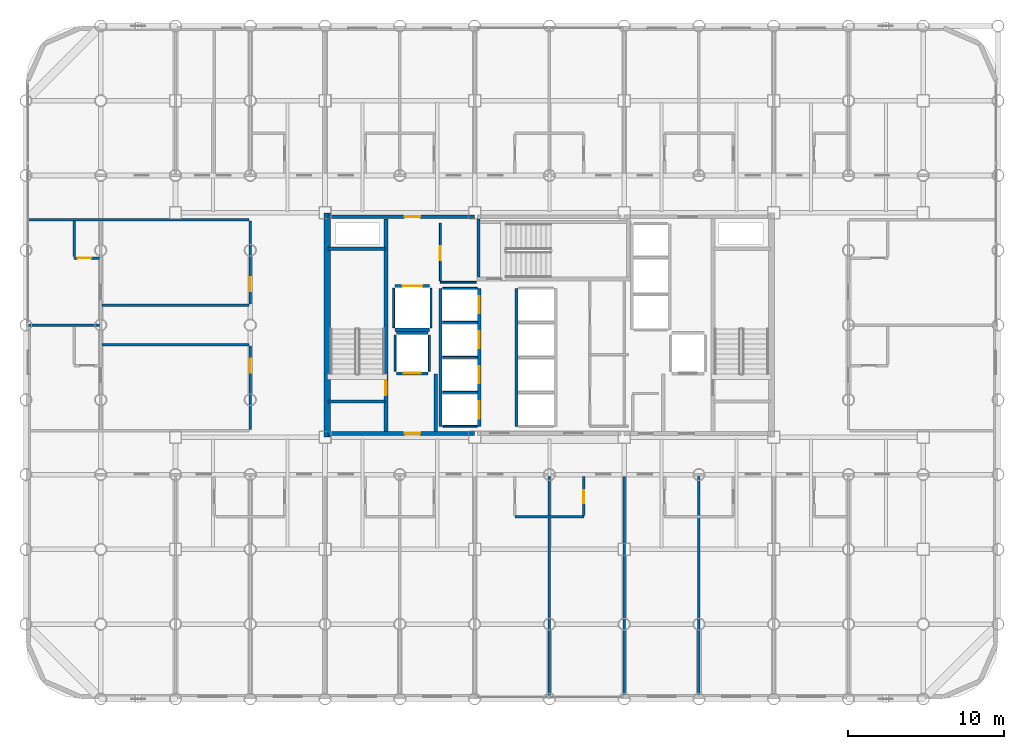
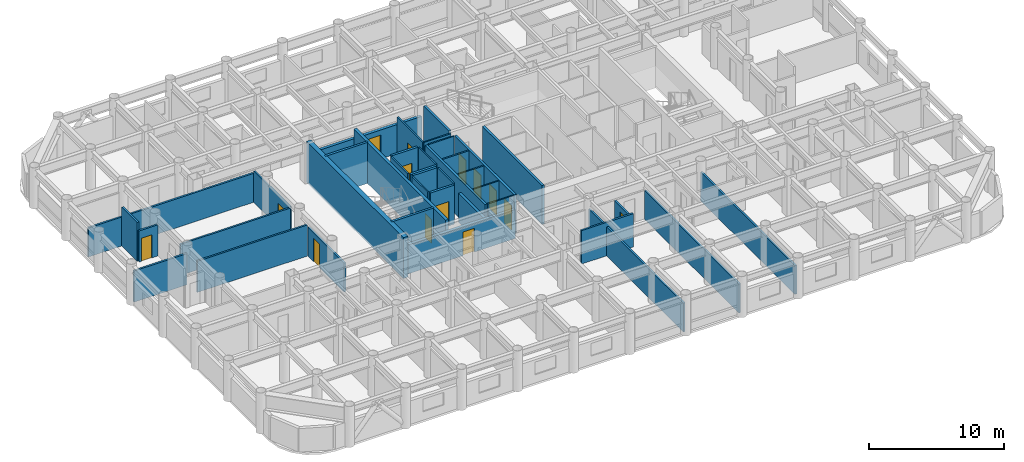
# One storey, part 17 of 22: 39 walls, 14 doors, 14 openings.
"""IFC4 building model written with IfcOpenShell, lengths in metres."""

from ifc_helpers import new_model, si_unit, direction, frame, frame_2d, origin, place, context, subcontext, project, spatial, rectangle, extrude, material, layer, layer_set, type_object, element, fill, save


model = new_model("IFC4")

# Units and contexts
model_context = context("Model", 3, precision=1e-05, world=origin(), true_north=direction((0.0, 1.0)))
body_context = subcontext(model_context, "Body", "Model", "MODEL_VIEW")
ifc_project = project(units=[si_unit("LENGTHUNIT", "METRE"), si_unit("AREAUNIT", "SQUARE_METRE"), si_unit("VOLUMEUNIT", "CUBIC_METRE"), si_unit("PLANEANGLEUNIT", "RADIAN"), si_unit("MASSUNIT", "GRAM", prefix="KILO")], contexts=[model_context])

# Site, building, storey
site_placement = place(None, origin())
site = spatial("IfcSite", under=ifc_project, at=site_placement, CompositionType="ELEMENT")
building_placement = place(site_placement, origin())
building = spatial("IfcBuilding", under=site, at=building_placement, Name="Kallvorn Hotel Tower", CompositionType="ELEMENT")
storey_placement = place(building_placement, frame((0.0, 0.0, 33.699951171875)))
storey = spatial("IfcBuildingStorey", under=building, at=storey_placement, Name="L06", CompositionType="ELEMENT", Elevation=33.699951171875)

# Walls
ifc_material_1 = material(Name="Concrete C50/60", Category="concrete")
ifc_layer_1 = layer(ifc_material_1, 0.39990234375)
ifc_layer_set_1 = layer_set([ifc_layer_1], Name="WL_CORE_400")
wall_type_1 = type_object("IfcWallType", Name="WL_CORE_400", PredefinedType="SHEAR", material=ifc_layer_set_1)
wall_1_placement = place(storey_placement, frame((-14.264892578125, -7.199951171875, -0.179931640625), z_axis=(0.0, 0.0, 1.0), x_axis=(0.0, 1.0, 0.0)))
element("IfcWall", 1, at=wall_1_placement, inside=storey, type_object=wall_type_1, Name="L06 Core West Shear Wall", PredefinedType="SHEAR", context=body_context, shape_type="SweptSolid", body=[
    extrude(rectangle(XDim=14.39990234375, YDim=0.39990234375, at=frame_2d((7.199951171875, 0.0))), origin(), (0.0, 0.0, 1.0), 3.699951171875),
])
ifc_material_2 = material(Name="Fire-rated double-layer acoustic gypsum drywall EI 60")
ifc_layer_2 = layer(ifc_material_2, 0.159912109375)
ifc_layer_set_2 = layer_set([ifc_layer_2], Name="WL_DEMISE_160")
wall_type_2 = type_object("IfcWallType", Name="WL_DEMISE_160", PredefinedType="PARTITIONING", material=ifc_layer_set_2)
wall_2_placement = place(storey_placement, frame((-2.2099609375, -12.320068359375, 0.0), z_axis=(0.0, 0.0, 1.0), x_axis=(1.0, 0.0, 0.0)))
element("IfcWall", 2, at=wall_2_placement, inside=storey, type_object=wall_type_2, Name="L06 Suite 609 Superior Twin Room Partition", PredefinedType="PARTITIONING", context=body_context, shape_type="SweptSolid", body=[
    extrude(rectangle(XDim=4.419921875, YDim=0.159912109375, at=frame_2d((2.2099609375, 0.0))), origin(), (0.0, 0.0, 1.0), 3.02001953125),
])
wall_3_placement = place(storey_placement, frame((-33.429931640625, 0.0, 0.0), z_axis=(0.0, 0.0, 1.0), x_axis=(1.0, 0.0, 0.0)))
element("IfcWall", 3, at=wall_3_placement, inside=storey, type_object=wall_type_2, Name="L06 Suite 602 W Andean Twin Room Partition", PredefinedType="PARTITIONING", context=body_context, shape_type="SweptSolid", body=[
    extrude(rectangle(XDim=4.550048828125, YDim=0.159912109375, at=frame_2d((2.27490234375, 0.0))), origin(), (0.0, 0.0, 1.0), 2.820068359375),
])

# Wall, opening, door
wall_4_placement = place(storey_placement, frame((-30.5, 4.300048828125, 0.0), z_axis=(0.0, 0.0, 1.0), x_axis=(1.0, 0.0, 0.0)))
wall_4 = element("IfcWall", 4, at=wall_4_placement, inside=storey, type_object=wall_type_2, Name="L06 Suite 602 W Andean Twin Room Partition", PredefinedType="PARTITIONING", context=body_context, shape_type="SweptSolid", body=[
    extrude(rectangle(XDim=1.6201171875, YDim=0.159912109375, at=frame_2d((0.81005859375, 0.0))), origin(), (0.0, 0.0, 1.0), 2.820068359375),
])
opening_1_placement = place(wall_4_placement, frame((0.219970703125, 0.0, 0.0)))
opening_1 = element("IfcOpeningElement", 5, at=opening_1_placement, cuts=wall_4, Name="Opening BD-I", PredefinedType="OPENING", context=body_context, shape_type="SweptSolid", body=[
    extrude(rectangle(XDim=0.860107421875, YDim=2.10009765625, at=frame_2d((0.43017578125, 1.050048828125))), frame((0.0, 0.094970703125, 0.0), z_axis=(0.0, -1.0, 0.0), x_axis=(1.0, 0.0, 0.0)), (0.0, 0.0, 1.0), 0.18994140625),
])
ifc_material_3 = material(Name="Solid-core walnut veneer fire-rated timber door leaf", Category="wood")
door_type_1 = type_object("IfcDoorType", Name="DR_BATH_860x2100", OperationType="NOTDEFINED", PredefinedType="DOOR", material=ifc_material_3)
door_1_placement = place(opening_1_placement, origin())
door_1 = element("IfcDoor", 6, at=door_1_placement, inside=storey, type_object=door_type_1, Name="L06 Suite 602 En-Suite Bathroom Door", OperationType="SINGLE_SWING_RIGHT", OverallHeight=2.10009765625, OverallWidth=0.860107421875, PredefinedType="DOOR", context=body_context, shape_type="SweptSolid", body=[
    extrude(rectangle(XDim=0.860107421875, YDim=2.10009765625, at=frame_2d((0.43017578125, 1.050048828125))), frame((0.0, 0.02490234375, 0.0), z_axis=(0.0, -1.0, 0.0), x_axis=(1.0, 0.0, 0.0)), (0.0, 0.0, 1.0), 0.050048828125),
])
fill(opening_1, door_1)

# Walls
wall_5_placement = place(storey_placement, frame((-33.429931640625, 6.75830078125, 0.0), z_axis=(0.0, 0.0, 1.0), x_axis=(1.0, 0.0, 0.0)))
element("IfcWall", 7, at=wall_5_placement, inside=storey, type_object=wall_type_2, Name="L06 Suite 602 W Andean Twin Room Partition", PredefinedType="PARTITIONING", context=body_context, shape_type="SweptSolid", body=[
    extrude(rectangle(XDim=14.14990234375, YDim=0.159912109375, at=frame_2d((7.074951171875, 0.0))), origin(), (0.0, 0.0, 1.0), 2.6201171875),
])
wall_6_placement = place(storey_placement, frame((-30.5, 4.385009765625, 0.0), z_axis=(0.0, 0.0, 1.0), x_axis=(0.0, 1.0, 0.0)))
element("IfcWall", 8, at=wall_6_placement, inside=storey, type_object=wall_type_2, Name="L06 Suite 602 W Andean Twin Room Partition", PredefinedType="PARTITIONING", context=body_context, shape_type="SweptSolid", body=[
    extrude(rectangle(XDim=2.288330078125, YDim=0.159912109375, at=frame_2d((1.14404296875, 0.0))), origin(), (0.0, 0.0, 1.0), 3.52001953125),
])
wall_7_placement = place(storey_placement, frame((0.0, -23.794921875, 0.0), z_axis=(0.0, 0.0, 1.0), x_axis=(0.0, 1.0, 0.0)))
element("IfcWall", 9, at=wall_7_placement, inside=storey, type_object=wall_type_2, Name="L06 Suite 609 Superior Twin Room Partition", PredefinedType="PARTITIONING", context=body_context, shape_type="SweptSolid", body=[
    extrude(rectangle(XDim=14.074951171875, YDim=0.159912109375, at=frame_2d((7.03759765625, 0.0))), origin(), (0.0, 0.0, 1.0), 2.6201171875),
])

# Wall, opening, door
wall_8_placement = place(storey_placement, frame((2.2099609375, -12.235107421875, 0.0), z_axis=(0.0, 0.0, 1.0), x_axis=(0.0, 1.0, 0.0)))
wall_8 = element("IfcWall", 10, at=wall_8_placement, inside=storey, type_object=wall_type_2, Name="L06 Suite 610 Superior Twin Room Partition", PredefinedType="PARTITIONING", context=body_context, shape_type="SweptSolid", body=[
    extrude(rectangle(XDim=2.51513671875, YDim=0.159912109375, at=frame_2d((1.257568359375, 0.0))), origin(), (0.0, 0.0, 1.0), 2.6201171875),
])
opening_2_placement = place(wall_8_placement, frame((0.784912109375, 0.0, 0.0)))
opening_2 = element("IfcOpeningElement", 11, at=opening_2_placement, cuts=wall_8, Name="Opening BD-I", PredefinedType="OPENING", context=body_context, shape_type="SweptSolid", body=[
    extrude(rectangle(XDim=0.860107421875, YDim=2.10009765625, at=frame_2d((0.43017578125, 1.050048828125))), frame((0.0, 0.094970703125, 0.0), z_axis=(0.0, -1.0, 0.0), x_axis=(1.0, 0.0, 0.0)), (0.0, 0.0, 1.0), 0.18994140625),
])
door_2_placement = place(opening_2_placement, origin())
door_2 = element("IfcDoor", 12, at=door_2_placement, inside=storey, type_object=door_type_1, Name="L06 Suite 610 En-Suite Bathroom Door", OperationType="SINGLE_SWING_RIGHT", OverallHeight=2.10009765625, OverallWidth=0.860107421875, PredefinedType="DOOR", context=body_context, shape_type="SweptSolid", body=[
    extrude(rectangle(XDim=0.860107421875, YDim=2.10009765625, at=frame_2d((0.43017578125, 1.050048828125))), frame((0.0, 0.02490234375, 0.0), z_axis=(0.0, -1.0, 0.0), x_axis=(1.0, 0.0, 0.0)), (0.0, 0.0, 1.0), 0.050048828125),
])
fill(opening_2, door_2)

# Walls
for number, where, z_axis, x_axis, name in (
    (13, (4.800048828125, -23.7099609375, 0.0), (0.0, 0.0, 1.0), (0.0, 1.0, 0.0), "L06 Suite 610 Superior Twin Room Partition"),
    (14, (9.60009765625, -23.7099609375, 0.0), (0.0, 0.0, 1.0), (0.0, 1.0, 0.0), "L06 Suite 611 Superior Twin Room Partition"),
):
    element("IfcWall", number, at=place(storey_placement, frame(where, z_axis=z_axis, x_axis=x_axis)), inside=storey, type_object=wall_type_2, Name=name, PredefinedType="PARTITIONING", context=body_context, shape_type="SweptSolid", body=[
        extrude(rectangle(XDim=13.989990234375, YDim=0.159912109375, at=frame_2d((6.9951171875, 0.0))), origin(), (0.0, 0.0, 1.0), 2.6201171875),
    ])
ifc_material_4 = material(Name="Concrete C40/50", Category="concrete")
ifc_layer_3 = layer(ifc_material_4, 0.219970703125)
ifc_layer_set_3 = layer_set([ifc_layer_3], Name="WL_FFL_220")
wall_type_3 = type_object("IfcWallType", Name="WL_FFL_220", PredefinedType="SOLIDWALL", material=ifc_layer_set_3)
wall_9_placement = place(storey_placement, frame((-7.300048828125, -6.820068359375, 0.0), z_axis=(0.0, 0.0, 1.0), x_axis=(0.0, 1.0, 0.0)))
element("IfcWall", 15, at=wall_9_placement, inside=storey, type_object=wall_type_3, Name="L06 Firefighting Lobby West Divider Wall", PredefinedType="SOLIDWALL", context=body_context, shape_type="SweptSolid", body=[
    extrude(rectangle(XDim=3.670166015625, YDim=0.219970703125, at=frame_2d((1.8349609375, 0.0))), origin(), (0.0, 0.0, 1.0), 2.6201171875),
])
ifc_material_5 = material(Name="Concrete C40/50", Category="concrete")
ifc_layer_4 = layer(ifc_material_5, 0.199951171875)
ifc_layer_set_4 = layer_set([ifc_layer_4], Name="WL_HOIST_200")
wall_type_4 = type_object("IfcWallType", Name="WL_HOIST_200", PredefinedType="SOLIDWALL", material=ifc_layer_set_4)
for number, where, z_axis, x_axis, name in (
    (16, (-14.199951171875, -4.89990234375, -0.179931640625), (0.0, 0.0, 1.0), (1.0, 0.0, 0.0), "L06 Stair ST1 South Wall"),
    (17, (-14.199951171875, 4.89990234375, -0.179931640625), (0.0, 0.0, 1.0), (1.0, 0.0, 0.0), "L06 Stair ST1 North Wall"),
):
    element("IfcWall", number, at=place(storey_placement, frame(where, z_axis=z_axis, x_axis=x_axis)), inside=storey, type_object=wall_type_4, Name=name, PredefinedType="SOLIDWALL", context=body_context, shape_type="SweptSolid", body=[
        extrude(rectangle(XDim=3.64990234375, YDim=0.199951171875, at=frame_2d((1.824951171875, 0.0))), origin(), (0.0, 0.0, 1.0), 3.699951171875),
    ])
wall_10_placement = place(storey_placement, frame((-4.550048828125, 3.080078125, -0.179931640625), z_axis=(0.0, 0.0, 1.0), x_axis=(0.0, 1.0, 0.0)))
element("IfcWall", 18, at=wall_10_placement, inside=storey, type_object=wall_type_4, Name="L06 Stair ST3 West Wall", PredefinedType="SOLIDWALL", context=body_context, shape_type="SweptSolid", body=[
    extrude(rectangle(XDim=3.739990234375, YDim=0.199951171875, at=frame_2d((1.8701171875, 0.0))), origin(), (0.0, 0.0, 1.0), 3.699951171875),
])

# Wall, openings, doors
wall_11_placement = place(storey_placement, frame((-4.5, -6.5, 0.0), z_axis=(0.0, 0.0, 1.0), x_axis=(0.0, 1.0, 0.0)))
wall_11 = element("IfcWall", 19, at=wall_11_placement, inside=storey, type_object=wall_type_4, Name="L06 Lift Bank B1 Landing Wall", PredefinedType="SOLIDWALL", context=body_context, shape_type="SweptSolid", body=[
    extrude(rectangle(XDim=8.85009765625, YDim=0.199951171875, at=frame_2d((4.425048828125, 0.0))), origin(), (0.0, 0.0, 1.0), 3.52001953125),
])
opening_3_placement = place(wall_11_placement, frame((0.5, 0.0, 0.0)))
opening_3 = element("IfcOpeningElement", 20, at=opening_3_placement, cuts=wall_11, Name="Opening LD-PL-01", PredefinedType="OPENING", context=body_context, shape_type="SweptSolid", body=[
    extrude(rectangle(XDim=1.10009765625, YDim=2.199951171875, at=frame_2d((0.550048828125, 1.10009765625))), frame((0.0, 0.114990234375, 0.0), z_axis=(0.0, -1.0, 0.0), x_axis=(1.0, 0.0, 0.0)), (0.0, 0.0, 1.0), 0.22998046875),
])
opening_4_placement = place(wall_11_placement, frame((2.75, 0.0, 0.0)))
opening_4 = element("IfcOpeningElement", 21, at=opening_4_placement, cuts=wall_11, Name="Opening LD-PL-02", PredefinedType="OPENING", context=body_context, shape_type="SweptSolid", body=[
    extrude(rectangle(XDim=1.10009765625, YDim=2.199951171875, at=frame_2d((0.550048828125, 1.10009765625))), frame((0.0, 0.114990234375, 0.0), z_axis=(0.0, -1.0, 0.0), x_axis=(1.0, 0.0, 0.0)), (0.0, 0.0, 1.0), 0.22998046875),
])
opening_5_placement = place(wall_11_placement, frame((5.0, 0.0, 0.0)))
opening_5 = element("IfcOpeningElement", 22, at=opening_5_placement, cuts=wall_11, Name="Opening LD-PL-03", PredefinedType="OPENING", context=body_context, shape_type="SweptSolid", body=[
    extrude(rectangle(XDim=1.10009765625, YDim=2.199951171875, at=frame_2d((0.550048828125, 1.10009765625))), frame((0.0, 0.114990234375, 0.0), z_axis=(0.0, -1.0, 0.0), x_axis=(1.0, 0.0, 0.0)), (0.0, 0.0, 1.0), 0.22998046875),
])
opening_6_placement = place(wall_11_placement, frame((7.25, 0.0, 0.0)))
opening_6 = element("IfcOpeningElement", 23, at=opening_6_placement, cuts=wall_11, Name="Opening LD-PL-04", PredefinedType="OPENING", context=body_context, shape_type="SweptSolid", body=[
    extrude(rectangle(XDim=1.10009765625, YDim=2.199951171875, at=frame_2d((0.550048828125, 1.10009765625))), frame((0.0, 0.114990234375, 0.0), z_axis=(0.0, -1.0, 0.0), x_axis=(1.0, 0.0, 0.0)), (0.0, 0.0, 1.0), 0.22998046875),
])
ifc_material_6 = material(Name="Brushed stainless-steel automatic sliding lift landing door", Category="steel")
door_type_2 = type_object("IfcDoorType", Name="LD_PASS_1100x2200", OperationType="SLIDING_TO_LEFT", PredefinedType="DOOR", material=ifc_material_6)
door_3_placement = place(opening_3_placement, origin())
door_3 = element("IfcDoor", 24, at=door_3_placement, inside=storey, type_object=door_type_2, Name="L06 Lift Landing Sliding Door LD-PL-01", OperationType="SLIDING_TO_LEFT", OverallHeight=2.199951171875, OverallWidth=1.10009765625, PredefinedType="DOOR", context=body_context, shape_type="SweptSolid", body=[
    extrude(rectangle(XDim=1.10009765625, YDim=2.199951171875, at=frame_2d((0.550048828125, 1.10009765625))), frame((0.0, 0.02490234375, 0.0), z_axis=(0.0, -1.0, 0.0), x_axis=(1.0, 0.0, 0.0)), (0.0, 0.0, 1.0), 0.050048828125),
])
fill(opening_3, door_3)
door_4_placement = place(opening_4_placement, origin())
door_4 = element("IfcDoor", 25, at=door_4_placement, inside=storey, type_object=door_type_2, Name="L06 Lift Landing Sliding Door LD-PL-02", OperationType="SLIDING_TO_LEFT", OverallHeight=2.199951171875, OverallWidth=1.10009765625, PredefinedType="DOOR", context=body_context, shape_type="SweptSolid", body=[
    extrude(rectangle(XDim=1.10009765625, YDim=2.199951171875, at=frame_2d((0.550048828125, 1.10009765625))), frame((0.0, 0.02490234375, 0.0), z_axis=(0.0, -1.0, 0.0), x_axis=(1.0, 0.0, 0.0)), (0.0, 0.0, 1.0), 0.050048828125),
])
fill(opening_4, door_4)
door_5_placement = place(opening_5_placement, origin())
door_5 = element("IfcDoor", 26, at=door_5_placement, inside=storey, type_object=door_type_2, Name="L06 Lift Landing Sliding Door LD-PL-03", OperationType="SLIDING_TO_LEFT", OverallHeight=2.199951171875, OverallWidth=1.10009765625, PredefinedType="DOOR", context=body_context, shape_type="SweptSolid", body=[
    extrude(rectangle(XDim=1.10009765625, YDim=2.199951171875, at=frame_2d((0.550048828125, 1.10009765625))), frame((0.0, 0.02490234375, 0.0), z_axis=(0.0, -1.0, 0.0), x_axis=(1.0, 0.0, 0.0)), (0.0, 0.0, 1.0), 0.050048828125),
])
fill(opening_5, door_5)
door_6_placement = place(opening_6_placement, origin())
door_6 = element("IfcDoor", 27, at=door_6_placement, inside=storey, type_object=door_type_2, Name="L06 Lift Landing Sliding Door LD-PL-04", OperationType="SLIDING_TO_LEFT", OverallHeight=2.199951171875, OverallWidth=1.10009765625, PredefinedType="DOOR", context=body_context, shape_type="SweptSolid", body=[
    extrude(rectangle(XDim=1.10009765625, YDim=2.199951171875, at=frame_2d((0.550048828125, 1.10009765625))), frame((0.0, 0.02490234375, 0.0), z_axis=(0.0, -1.0, 0.0), x_axis=(1.0, 0.0, 0.0)), (0.0, 0.0, 1.0), 0.050048828125),
])
fill(opening_6, door_6)

# Walls
for number, where, z_axis, x_axis, name in (
    (28, (-7.0, -6.5, 0.0), (0.0, 0.0, 1.0), (0.0, 1.0, 0.0), "L06 Lift Bank B1 Rear Shaft Wall"),
    (29, (-2.10009765625, -6.5, 0.0), (0.0, 0.0, 1.0), (0.0, 1.0, 0.0), "L06 Lift Bank B2 Landing Wall"),
):
    element("IfcWall", number, at=place(storey_placement, frame(where, z_axis=z_axis, x_axis=x_axis)), inside=storey, type_object=wall_type_4, Name=name, PredefinedType="SOLIDWALL", context=body_context, shape_type="SweptSolid", body=[
        extrude(rectangle(XDim=8.85009765625, YDim=0.199951171875, at=frame_2d((4.425048828125, 0.0))), origin(), (0.0, 0.0, 1.0), 3.52001953125),
    ])

# Wall, opening, door
wall_12_placement = place(storey_placement, frame((-9.820068359375, -3.10009765625, 0.0), z_axis=(0.0, 0.0, 1.0), x_axis=(1.0, 0.0, 0.0)))
wall_12 = element("IfcWall", 30, at=wall_12_placement, inside=storey, type_object=wall_type_4, Name="L06 FL-1 Landing Wall", PredefinedType="SOLIDWALL", context=body_context, shape_type="SweptSolid", body=[
    extrude(rectangle(XDim=2.0400390625, YDim=0.199951171875, at=frame_2d((1.02001953125, 0.0))), origin(), (0.0, 0.0, 1.0), 3.52001953125),
])
opening_7_placement = place(wall_12_placement, frame((0.469970703125, 0.0, 0.0)))
opening_7 = element("IfcOpeningElement", 31, at=opening_7_placement, cuts=wall_12, Name="Opening LD-FL-1", PredefinedType="OPENING", context=body_context, shape_type="SweptSolid", body=[
    extrude(rectangle(XDim=1.10009765625, YDim=2.199951171875, at=frame_2d((0.550048828125, 1.10009765625))), frame((0.0, 0.114990234375, 0.0), z_axis=(0.0, -1.0, 0.0), x_axis=(1.0, 0.0, 0.0)), (0.0, 0.0, 1.0), 0.22998046875),
])
door_7_placement = place(opening_7_placement, origin())
door_7 = element("IfcDoor", 32, at=door_7_placement, inside=storey, type_object=door_type_2, Name="L06 Lift Landing Sliding Door LD-FL-1", OperationType="SLIDING_TO_LEFT", OverallHeight=2.199951171875, OverallWidth=1.10009765625, PredefinedType="DOOR", context=body_context, shape_type="SweptSolid", body=[
    extrude(rectangle(XDim=1.10009765625, YDim=2.199951171875, at=frame_2d((0.550048828125, 1.10009765625))), frame((0.0, 0.02490234375, 0.0), z_axis=(0.0, -1.0, 0.0), x_axis=(1.0, 0.0, 0.0)), (0.0, 0.0, 1.0), 0.050048828125),
])
fill(opening_7, door_7)

# Wall
wall_13_placement = place(storey_placement, frame((-9.820068359375, -0.5, 0.0), z_axis=(0.0, 0.0, 1.0), x_axis=(1.0, 0.0, 0.0)))
element("IfcWall", 33, at=wall_13_placement, inside=storey, type_object=wall_type_4, Name="L06 FL-1 Rear Shaft Wall", PredefinedType="SOLIDWALL", context=body_context, shape_type="SweptSolid", body=[
    extrude(rectangle(XDim=2.0400390625, YDim=0.199951171875, at=frame_2d((1.02001953125, 0.0))), origin(), (0.0, 0.0, 1.0), 3.52001953125),
])

# Wall, opening, door
wall_14_placement = place(storey_placement, frame((-9.919921875, 2.5, 0.0), z_axis=(0.0, 0.0, 1.0), x_axis=(1.0, 0.0, 0.0)))
wall_14 = element("IfcWall", 34, at=wall_14_placement, inside=storey, type_object=wall_type_4, Name="L06 SV-01 Landing Wall", PredefinedType="SOLIDWALL", context=body_context, shape_type="SweptSolid", body=[
    extrude(rectangle(XDim=2.239990234375, YDim=0.199951171875, at=frame_2d((1.1201171875, 0.0))), origin(), (0.0, 0.0, 1.0), 3.52001953125),
])
opening_8_placement = place(wall_14_placement, frame((0.4951171875, 0.0, 0.0)))
opening_8 = element("IfcOpeningElement", 35, at=opening_8_placement, cuts=wall_14, Name="Opening LD-SV-01", PredefinedType="OPENING", context=body_context, shape_type="SweptSolid", body=[
    extrude(rectangle(XDim=1.25, YDim=2.25, at=frame_2d((0.625, 1.125))), frame((0.0, 0.114990234375, 0.0), z_axis=(0.0, -1.0, 0.0), x_axis=(1.0, 0.0, 0.0)), (0.0, 0.0, 1.0), 0.22998046875),
])
ifc_material_7 = material(Name="Brushed stainless-steel automatic sliding lift landing door", Category="steel")
door_type_3 = type_object("IfcDoorType", Name="LD_SERV_1250x2250", OperationType="SLIDING_TO_LEFT", PredefinedType="DOOR", material=ifc_material_7)
door_8_placement = place(opening_8_placement, origin())
door_8 = element("IfcDoor", 36, at=door_8_placement, inside=storey, type_object=door_type_3, Name="L06 Lift Landing Sliding Door LD-SV-01", OperationType="SLIDING_TO_LEFT", OverallHeight=2.25, OverallWidth=1.25, PredefinedType="DOOR", context=body_context, shape_type="SweptSolid", body=[
    extrude(rectangle(XDim=1.25, YDim=2.25, at=frame_2d((0.625, 1.125))), frame((0.0, 0.02490234375, 0.0), z_axis=(0.0, -1.0, 0.0), x_axis=(1.0, 0.0, 0.0)), (0.0, 0.0, 1.0), 0.050048828125),
])
fill(opening_8, door_8)

# Walls
wall_15_placement = place(storey_placement, frame((-9.919921875, -0.300048828125, 0.0), z_axis=(0.0, 0.0, 1.0), x_axis=(1.0, 0.0, 0.0)))
element("IfcWall", 37, at=wall_15_placement, inside=storey, type_object=wall_type_4, Name="L06 SV-01 Rear Shaft Wall", PredefinedType="SOLIDWALL", context=body_context, shape_type="SweptSolid", body=[
    extrude(rectangle(XDim=2.239990234375, YDim=0.199951171875, at=frame_2d((1.1201171875, 0.0))), origin(), (0.0, 0.0, 1.0), 3.52001953125),
])
ifc_material_8 = material(Name="Fire-rated double-layer acoustic gypsum drywall EI 60")
ifc_layer_5 = layer(ifc_material_8, 0.1201171875)
ifc_layer_set_5 = layer_set([ifc_layer_5], Name="WL_INT_120")
wall_type_5 = type_object("IfcWallType", Name="WL_INT_120", PredefinedType="PARTITIONING", material=ifc_layer_set_5)
for number, where, z_axis, x_axis, name in (
    (38, (-6.860107421875, -6.5, 0.0), (0.0, 0.0, 1.0), (1.0, 0.0, 0.0), "L06 Lift Bank B1 South Closure Wall"),
    (39, (-6.860107421875, -4.324951171875, 0.0), (0.0, 0.0, 1.0), (1.0, 0.0, 0.0), "L06 PL-01 Hoistway Divider"),
    (40, (-6.860107421875, -2.074951171875, 0.0), (0.0, 0.0, 1.0), (1.0, 0.0, 0.0), "L06 PL-02 Hoistway Divider"),
    (41, (-6.860107421875, 0.175048828125, 0.0), (0.0, 0.0, 1.0), (1.0, 0.0, 0.0), "L06 PL-03 Hoistway Divider"),
    (42, (-6.860107421875, 2.35009765625, 0.0), (0.0, 0.0, 1.0), (1.0, 0.0, 0.0), "L06 PL-04 Hoistway Divider"),
):
    element("IfcWall", number, at=place(storey_placement, frame(where, z_axis=z_axis, x_axis=x_axis)), inside=storey, type_object=wall_type_5, Name=name, PredefinedType="PARTITIONING", context=body_context, shape_type="SweptSolid", body=[
        extrude(rectangle(XDim=2.22021484375, YDim=0.1201171875, at=frame_2d((1.110107421875, 0.0))), origin(), (0.0, 0.0, 1.0), 3.52001953125),
    ])
for number, where, z_axis, x_axis, name in (
    (43, (-9.89990234375, -2.9599609375, 0.0), (0.0, 0.0, 1.0), (0.0, 1.0, 0.0), "L06 FL-1 West Shaft Wall"),
    (44, (-7.699951171875, -2.9599609375, 0.0), (0.0, 0.0, 1.0), (0.0, 1.0, 0.0), "L06 FL-1 East Shaft Wall"),
):
    element("IfcWall", number, at=place(storey_placement, frame(where, z_axis=z_axis, x_axis=x_axis)), inside=storey, type_object=wall_type_5, Name=name, PredefinedType="PARTITIONING", context=body_context, shape_type="SweptSolid", body=[
        extrude(rectangle(XDim=2.320068359375, YDim=0.1201171875, at=frame_2d((1.16015625, 0.0))), origin(), (0.0, 0.0, 1.0), 3.52001953125),
    ])
for number, where, z_axis, x_axis, name in (
    (45, (-10.0, -0.159912109375, 0.0), (0.0, 0.0, 1.0), (0.0, 1.0, 0.0), "L06 SV-01 West Shaft Wall"),
    (46, (-7.60009765625, -0.159912109375, 0.0), (0.0, 0.0, 1.0), (0.0, 1.0, 0.0), "L06 SV-01 East Shaft Wall"),
):
    element("IfcWall", number, at=place(storey_placement, frame(where, z_axis=z_axis, x_axis=x_axis)), inside=storey, type_object=wall_type_5, Name=name, PredefinedType="PARTITIONING", context=body_context, shape_type="SweptSolid", body=[
        extrude(rectangle(XDim=2.52001953125, YDim=0.1201171875, at=frame_2d((1.260009765625, 0.0))), origin(), (0.0, 0.0, 1.0), 3.52001953125),
    ])
wall_16_placement = place(storey_placement, frame((-7.0, 2.75, 0.0), z_axis=(0.0, 0.0, 1.0), x_axis=(1.0, 0.0, 0.0)))
element("IfcWall", 47, at=wall_16_placement, inside=storey, type_object=wall_type_5, Name="L06 Core Cleaners and Janitor Store Partition", PredefinedType="PARTITIONING", context=body_context, shape_type="SweptSolid", body=[
    extrude(rectangle(XDim=2.31005859375, YDim=0.1201171875, at=frame_2d((1.155029296875, 0.0))), origin(), (0.0, 0.0, 1.0), 3.52001953125),
])

# Wall, opening, door
wall_17_placement = place(storey_placement, frame((-7.0, 2.8349609375, 0.0), z_axis=(0.0, 0.0, 1.0), x_axis=(0.0, 1.0, 0.0)))
wall_17 = element("IfcWall", 48, at=wall_17_placement, inside=storey, type_object=wall_type_5, Name="L06 Core Cleaners and Janitor Store Partition", PredefinedType="PARTITIONING", context=body_context, shape_type="SweptSolid", body=[
    extrude(rectangle(XDim=3.715087890625, YDim=0.1201171875, at=frame_2d((1.857421875, 0.0))), origin(), (0.0, 0.0, 1.0), 3.52001953125),
])
opening_9_placement = place(wall_17_placement, frame((1.31494140625, 0.0, 0.0)))
opening_9 = element("IfcOpeningElement", 49, at=opening_9_placement, cuts=wall_17, Name="Opening SVD1", PredefinedType="OPENING", context=body_context, shape_type="SweptSolid", body=[
    extrude(rectangle(XDim=0.89990234375, YDim=2.10009765625, at=frame_2d((0.449951171875, 1.050048828125))), frame((0.0, 0.074951171875, 0.0), z_axis=(0.0, -1.0, 0.0), x_axis=(1.0, 0.0, 0.0)), (0.0, 0.0, 1.0), 0.150146484375),
])
ifc_material_9 = material(Name="Galvanised painted steel fire-rated door assembly", Category="steel")
door_type_4 = type_object("IfcDoorType", Name="DR_SERV_900x2100", OperationType="NOTDEFINED", PredefinedType="DOOR", material=ifc_material_9)
door_9_placement = place(opening_9_placement, origin())
door_9 = element("IfcDoor", 50, at=door_9_placement, inside=storey, type_object=door_type_4, Name="L06 Core Cleaners and Janitor Store Door", OperationType="SINGLE_SWING_RIGHT", OverallHeight=2.10009765625, OverallWidth=0.89990234375, PredefinedType="DOOR", context=body_context, shape_type="SweptSolid", body=[
    extrude(rectangle(XDim=0.89990234375, YDim=2.10009765625, at=frame_2d((0.449951171875, 1.050048828125))), frame((0.0, 0.02490234375, 0.0), z_axis=(0.0, -1.0, 0.0), x_axis=(1.0, 0.0, 0.0)), (0.0, 0.0, 1.0), 0.050048828125),
])
fill(opening_9, door_9)

# Walls
ifc_material_10 = material(Name="Fire-rated double-layer acoustic gypsum drywall EI 60")
ifc_layer_6 = layer(ifc_material_10, 0.14990234375)
ifc_layer_set_6 = layer_set([ifc_layer_6], Name="WL_PART_150")
wall_type_6 = type_object("IfcWallType", Name="WL_PART_150", PredefinedType="PARTITIONING", material=ifc_layer_set_6)
for number, where, z_axis, x_axis, name in (
    (51, (-28.719970703125, -1.260009765625, 0.0), (0.0, 0.0, 1.0), (1.0, 0.0, 0.0), "L06 L06 West Inner Club Bar Partition"),
    (52, (-28.719970703125, 1.260009765625, 0.0), (0.0, 0.0, 1.0), (1.0, 0.0, 0.0), "L06 L06 West Inner Reading Salon Partition"),
):
    element("IfcWall", number, at=place(storey_placement, frame(where, z_axis=z_axis, x_axis=x_axis)), inside=storey, type_object=wall_type_6, Name=name, PredefinedType="PARTITIONING", context=body_context, shape_type="SweptSolid", body=[
        extrude(rectangle(XDim=9.43994140625, YDim=0.14990234375, at=frame_2d((4.719970703125, 0.0))), origin(), (0.0, 0.0, 1.0), 2.820068359375),
    ])

# Wall, opening, door
wall_18_placement = place(storey_placement, frame((-19.199951171875, -6.715087890625, 0.0), z_axis=(0.0, 0.0, 1.0), x_axis=(0.0, 1.0, 0.0)))
wall_18 = element("IfcWall", 53, at=wall_18_placement, inside=storey, type_object=wall_type_6, Name="L06 L06 West Inner Club Bar Partition", PredefinedType="PARTITIONING", context=body_context, shape_type="SweptSolid", body=[
    extrude(rectangle(XDim=5.3701171875, YDim=0.14990234375, at=frame_2d((2.68505859375, 0.0))), origin(), (0.0, 0.0, 1.0), 2.6201171875),
])
opening_10_placement = place(wall_18_placement, frame((3.66015625, 0.0, 0.0)))
opening_10 = element("IfcOpeningElement", 54, at=opening_10_placement, cuts=wall_18, Name="Opening SVD1", PredefinedType="OPENING", context=body_context, shape_type="SweptSolid", body=[
    extrude(rectangle(XDim=0.89990234375, YDim=2.10009765625, at=frame_2d((0.449951171875, 1.050048828125))), frame((0.0, 0.08984375, 0.0), z_axis=(0.0, -1.0, 0.0), x_axis=(1.0, 0.0, 0.0)), (0.0, 0.0, 1.0), 0.179931640625),
])
door_10_placement = place(opening_10_placement, origin())
door_10 = element("IfcDoor", 55, at=door_10_placement, inside=storey, type_object=door_type_4, Name="L06 L06 West Inner Club Bar Door", OperationType="SINGLE_SWING_RIGHT", OverallHeight=2.10009765625, OverallWidth=0.89990234375, PredefinedType="DOOR", context=body_context, shape_type="SweptSolid", body=[
    extrude(rectangle(XDim=0.89990234375, YDim=2.10009765625, at=frame_2d((0.449951171875, 1.050048828125))), frame((0.0, 0.02490234375, 0.0), z_axis=(0.0, -1.0, 0.0), x_axis=(1.0, 0.0, 0.0)), (0.0, 0.0, 1.0), 0.050048828125),
])
fill(opening_10, door_10)

wall_19_placement = place(storey_placement, frame((-19.199951171875, 1.344970703125, 0.0), z_axis=(0.0, 0.0, 1.0), x_axis=(0.0, 1.0, 0.0)))
wall_19 = element("IfcWall", 56, at=wall_19_placement, inside=storey, type_object=wall_type_6, Name="L06 L06 West Inner Reading Salon Partition", PredefinedType="PARTITIONING", context=body_context, shape_type="SweptSolid", body=[
    extrude(rectangle(XDim=5.328369140625, YDim=0.14990234375, at=frame_2d((2.6640625, 0.0))), origin(), (0.0, 0.0, 1.0), 2.820068359375),
])
opening_11_placement = place(wall_19_placement, frame((0.818115234375, 0.0, 0.0)))
opening_11 = element("IfcOpeningElement", 57, at=opening_11_placement, cuts=wall_19, Name="Opening SVD1", PredefinedType="OPENING", context=body_context, shape_type="SweptSolid", body=[
    extrude(rectangle(XDim=0.89990234375, YDim=2.10009765625, at=frame_2d((0.449951171875, 1.050048828125))), frame((0.0, 0.08984375, 0.0), z_axis=(0.0, -1.0, 0.0), x_axis=(1.0, 0.0, 0.0)), (0.0, 0.0, 1.0), 0.179931640625),
])
door_11_placement = place(opening_11_placement, origin())
door_11 = element("IfcDoor", 58, at=door_11_placement, inside=storey, type_object=door_type_4, Name="L06 L06 West Inner Reading Salon Door", OperationType="SINGLE_SWING_RIGHT", OverallHeight=2.10009765625, OverallWidth=0.89990234375, PredefinedType="DOOR", context=body_context, shape_type="SweptSolid", body=[
    extrude(rectangle(XDim=0.89990234375, YDim=2.10009765625, at=frame_2d((0.449951171875, 1.050048828125))), frame((0.0, 0.02490234375, 0.0), z_axis=(0.0, -1.0, 0.0), x_axis=(1.0, 0.0, 0.0)), (0.0, 0.0, 1.0), 0.050048828125),
])
fill(opening_11, door_11)

ifc_material_11 = material(Name="Concrete C40/50", Category="concrete")
ifc_layer_7 = layer(ifc_material_11, 0.25)
ifc_layer_set_7 = layer_set([ifc_layer_7], Name="WL_SHAFT_250")
wall_type_7 = type_object("IfcWallType", Name="WL_SHAFT_250", PredefinedType="SOLIDWALL", material=ifc_layer_set_7)
wall_20_placement = place(storey_placement, frame((-14.199951171875, -6.949951171875, 0.0), z_axis=(0.0, 0.0, 1.0), x_axis=(1.0, 0.0, 0.0)))
wall_20 = element("IfcWall", 59, at=wall_20_placement, inside=storey, type_object=wall_type_7, Name="L06 Core South-West Wall", PredefinedType="SOLIDWALL", context=body_context, shape_type="SweptSolid", body=[
    extrude(rectangle(XDim=9.39990234375, YDim=0.25, at=frame_2d((4.699951171875, 0.0))), origin(), (0.0, 0.0, 1.0), 2.6201171875),
])
opening_12_placement = place(wall_20_placement, frame((4.89990234375, 0.0, 0.0)))
opening_12 = element("IfcOpeningElement", 60, at=opening_12_placement, cuts=wall_20, Name="Opening FD1", PredefinedType="OPENING", context=body_context, shape_type="SweptSolid", body=[
    extrude(rectangle(XDim=1.0, YDim=2.14990234375, at=frame_2d((0.5, 1.074951171875))), frame((0.0, 0.139892578125, 0.0), z_axis=(0.0, -1.0, 0.0), x_axis=(1.0, 0.0, 0.0)), (0.0, 0.0, 1.0), 0.280029296875),
])
ifc_material_12 = material(Name="Galvanised painted steel fire-rated door assembly", Category="steel")
door_type_5 = type_object("IfcDoorType", Name="DR_FFL_1000x2150", OperationType="NOTDEFINED", PredefinedType="DOOR", material=ifc_material_12)
door_12_placement = place(opening_12_placement, origin())
door_12 = element("IfcDoor", 61, at=door_12_placement, inside=storey, type_object=door_type_5, Name="L06 Firefighting Lobby West Door", OperationType="SINGLE_SWING_LEFT", OverallHeight=2.14990234375, OverallWidth=1.0, PredefinedType="DOOR", context=body_context, shape_type="SweptSolid", body=[
    extrude(rectangle(XDim=1.0, YDim=2.14990234375, at=frame_2d((0.5, 1.074951171875))), frame((0.0, 0.02490234375, 0.0), z_axis=(0.0, -1.0, 0.0), x_axis=(1.0, 0.0, 0.0)), (0.0, 0.0, 1.0), 0.050048828125),
])
fill(opening_12, door_12)

wall_21_placement = place(storey_placement, frame((-14.199951171875, 6.949951171875, 0.0), z_axis=(0.0, 0.0, 1.0), x_axis=(1.0, 0.0, 0.0)))
wall_21 = element("IfcWall", 62, at=wall_21_placement, inside=storey, type_object=wall_type_7, Name="L06 Core North-West Wall", PredefinedType="SOLIDWALL", context=body_context, shape_type="SweptSolid", body=[
    extrude(rectangle(XDim=9.39990234375, YDim=0.25, at=frame_2d((4.699951171875, 0.0))), origin(), (0.0, 0.0, 1.0), 2.6201171875),
])
opening_13_placement = place(wall_21_placement, frame((4.89990234375, 0.0, 0.0)))
opening_13 = element("IfcOpeningElement", 63, at=opening_13_placement, cuts=wall_21, Name="Opening FD1", PredefinedType="OPENING", context=body_context, shape_type="SweptSolid", body=[
    extrude(rectangle(XDim=1.0, YDim=2.14990234375, at=frame_2d((0.5, 1.074951171875))), frame((0.0, 0.139892578125, 0.0), z_axis=(0.0, -1.0, 0.0), x_axis=(1.0, 0.0, 0.0)), (0.0, 0.0, 1.0), 0.280029296875),
])
door_13_placement = place(opening_13_placement, origin())
door_13 = element("IfcDoor", 64, at=door_13_placement, inside=storey, type_object=door_type_5, Name="L06 Service Lift Lobby Door", OperationType="SINGLE_SWING_LEFT", OverallHeight=2.14990234375, OverallWidth=1.0, PredefinedType="DOOR", context=body_context, shape_type="SweptSolid", body=[
    extrude(rectangle(XDim=1.0, YDim=2.14990234375, at=frame_2d((0.5, 1.074951171875))), frame((0.0, 0.02490234375, 0.0), z_axis=(0.0, -1.0, 0.0), x_axis=(1.0, 0.0, 0.0)), (0.0, 0.0, 1.0), 0.050048828125),
])
fill(opening_13, door_13)

wall_22_placement = place(storey_placement, frame((-10.5, -6.820068359375, -0.179931640625), z_axis=(0.0, 0.0, 1.0), x_axis=(0.0, 1.0, 0.0)))
wall_22 = element("IfcWall", 65, at=wall_22_placement, inside=storey, type_object=wall_type_7, Name="L06 Stair ST1 Shaft Wall", PredefinedType="SOLIDWALL", context=body_context, shape_type="SweptSolid", body=[
    extrude(rectangle(XDim=13.64013671875, YDim=0.25, at=frame_2d((6.820068359375, 0.0))), origin(), (0.0, 0.0, 1.0), 3.699951171875),
])
opening_14_placement = place(wall_22_placement, frame((2.320068359375, 0.0, 0.179931640625)))
opening_14 = element("IfcOpeningElement", 66, at=opening_14_placement, cuts=wall_22, Name="Opening SD1", PredefinedType="OPENING", context=body_context, shape_type="SweptSolid", body=[
    extrude(rectangle(XDim=0.949951171875, YDim=2.14990234375, at=frame_2d((0.47509765625, 1.074951171875))), frame((0.0, 0.139892578125, 0.0), z_axis=(0.0, -1.0, 0.0), x_axis=(1.0, 0.0, 0.0)), (0.0, 0.0, 1.0), 0.280029296875),
])
ifc_material_13 = material(Name="Galvanised painted steel fire-rated door assembly", Category="steel")
door_type_6 = type_object("IfcDoorType", Name="DR_STAIR_950x2150", OperationType="NOTDEFINED", PredefinedType="DOOR", material=ifc_material_13)
door_14_placement = place(opening_14_placement, origin())
door_14 = element("IfcDoor", 67, at=door_14_placement, inside=storey, type_object=door_type_6, Name="L06 Exit Stair ST1 Fire Door", OperationType="SINGLE_SWING_RIGHT", OverallHeight=2.14990234375, OverallWidth=0.949951171875, PredefinedType="DOOR", context=body_context, shape_type="SweptSolid", body=[
    extrude(rectangle(XDim=0.949951171875, YDim=2.14990234375, at=frame_2d((0.47509765625, 1.074951171875))), frame((0.0, 0.02490234375, 0.0), z_axis=(0.0, -1.0, 0.0), x_axis=(1.0, 0.0, 0.0)), (0.0, 0.0, 1.0), 0.050048828125),
])
fill(opening_14, door_14)

save(model, "model.ifc")
